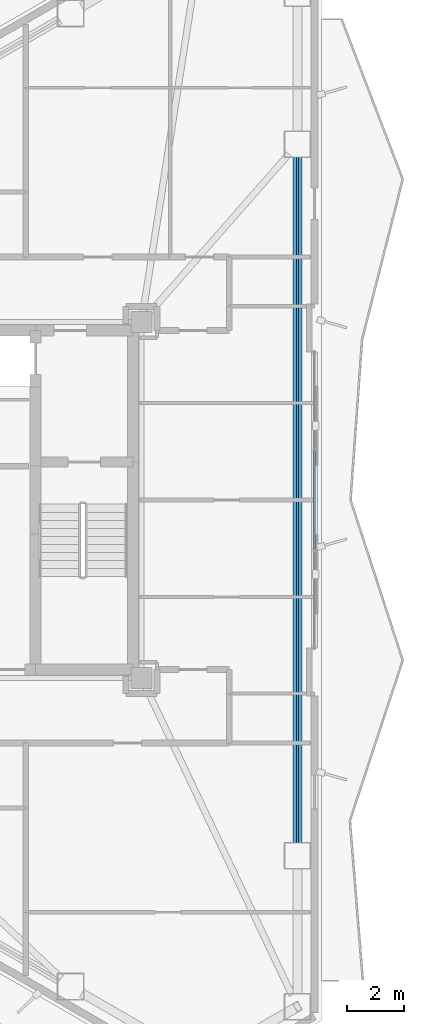
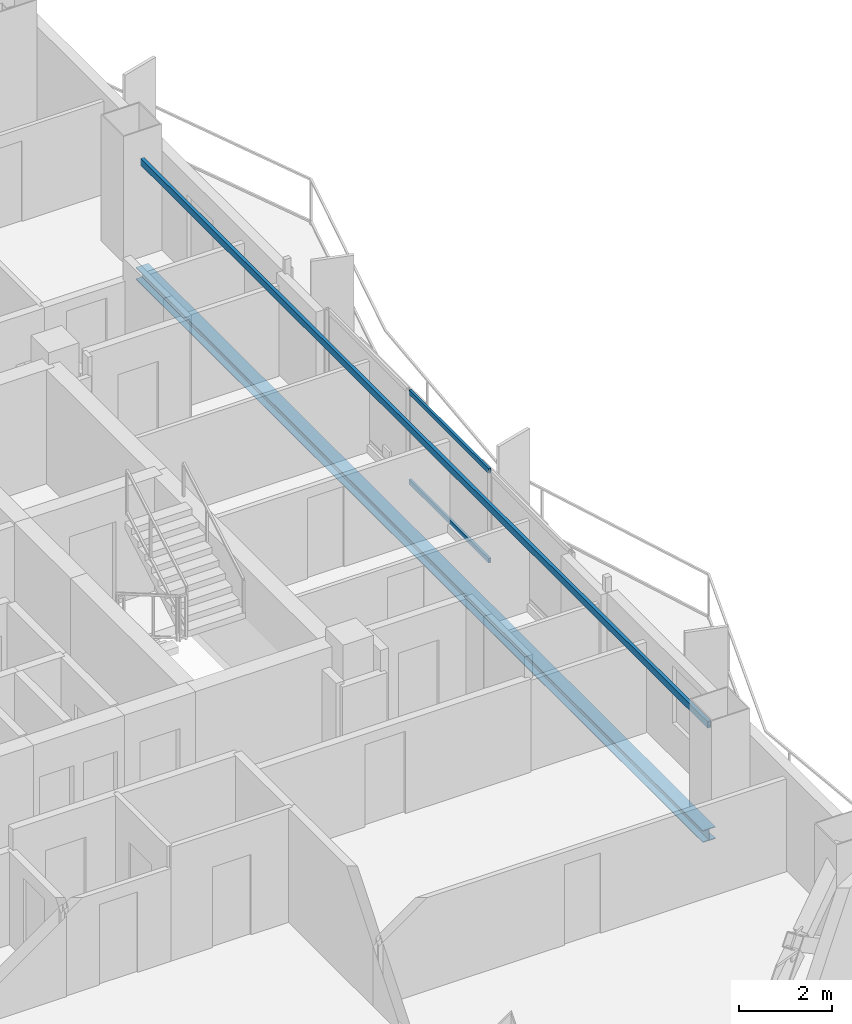
# One storey, part 8 of 18: 2 beams, 2 members, 1 element without a shape of its own.
"""IFC4 building model written with IfcOpenShell, lengths in metres."""

from ifc_helpers import new_model, si_unit, direction, frame, origin, origin_2d, place, context, subcontext, project, spatial, hollow_rectangle, i_section, extrude, material, layer, layer_set, material_profile, profile_set, type_object, element, aggregate, save


model = new_model("IFC4")

# Units and contexts
model_context = context("Model", 3, precision=1e-05, world=origin(), true_north=direction((0.0, 1.0)))
body_context = subcontext(model_context, "Body", "Model", "MODEL_VIEW")
ifc_project = project(units=[si_unit("LENGTHUNIT", "METRE"), si_unit("AREAUNIT", "SQUARE_METRE"), si_unit("VOLUMEUNIT", "CUBIC_METRE"), si_unit("PLANEANGLEUNIT", "RADIAN"), si_unit("MASSUNIT", "GRAM", prefix="KILO")], contexts=[model_context])

# Site, building, storey
site_placement = place(None, origin())
site = spatial("IfcSite", under=ifc_project, at=site_placement, CompositionType="ELEMENT")
building_placement = place(site_placement, origin())
building = spatial("IfcBuilding", under=site, at=building_placement, Name="Mersakhor Tower and Convention Hall", CompositionType="ELEMENT")
storey_placement = place(building_placement, frame((0.0, 0.0, 157.5)))
storey = spatial("IfcBuildingStorey", under=building, at=storey_placement, Name="L44", CompositionType="ELEMENT", Elevation=157.5)

# Beams
ifc_material_1 = material(Name="Steel S355", Category="steel")
ifc_material_profile_1 = material_profile(ifc_material_1, hollow_rectangle(XDim=0.080078125, YDim=0.179931640625, WallThickness=0.008056640625, at=origin_2d()), Name="RHS 180x80x8")
ifc_profile_set_1 = profile_set([ifc_material_profile_1], Name="Steel S355")
beam_type_1 = type_object("IfcBeamType", Name="BM-GRT-RHS180", PredefinedType="USERDEFINED", material=ifc_profile_set_1)
beam_1_placement = place(storey_placement, frame((41.619140625, 38.8837890625, 2.47998046875), z_axis=(0.0, -1.0, 0.0), x_axis=(1.0, 0.0, 0.0)))
element("IfcBeam", 1, at=beam_1_placement, inside=storey, type_object=beam_type_1, Name="L44 Facade Support Girt GRT-F2", ObjectType="GIRT", PredefinedType="USERDEFINED", context=body_context, shape_type="SweptSolid", body=[
    extrude(hollow_rectangle(XDim=0.080078125, YDim=0.179931640625, WallThickness=0.008056640625, at=origin_2d()), origin(), (0.0, 0.0, 1.0), 24.267578125),
])
ifc_material_2 = material(Name="Steel S355", Category="steel")
ifc_material_profile_2 = material_profile(ifc_material_2, i_section(OverallWidth=0.30908203125, OverallDepth=0.320556640625, WebThickness=0.013916015625, FlangeThickness=0.021728515625, at=origin_2d()), Name="UC 305x305x137")
ifc_profile_set_2 = profile_set([ifc_material_profile_2], Name="Steel S355")
beam_type_2 = type_object("IfcBeamType", Name="BM-SPD-UC305", PredefinedType="SPANDREL", material=ifc_profile_set_2)
beam_2_placement = place(storey_placement, frame((41.619140625, 38.8837890625, -0.400146484375), z_axis=(0.0, -1.0, 0.0), x_axis=(1.0, 0.0, 0.0)))
element("IfcBeam", 2, at=beam_2_placement, inside=storey, type_object=beam_type_2, Name="L44 Perimeter Spandrel Beam SPB-06", PredefinedType="SPANDREL", context=body_context, shape_type="SweptSolid", body=[
    extrude(i_section(OverallWidth=0.30908203125, OverallDepth=0.320556640625, WebThickness=0.013916015625, FlangeThickness=0.021728515625, at=origin_2d()), origin(), (0.0, 0.0, 1.0), 24.267578125),
])

# Curtain wall, members
ifc_material_3 = material(Name="Dark solar low-E aluminium curtain wall", Category="aluminium")
ifc_layer = layer(ifc_material_3, 0.169921875)
ifc_layer_set = layer_set([ifc_layer], Name="Dark solar low-E aluminium curtain wall")
curtain_wall_type = type_object("IfcCurtainWallType", Name="CW-SYS-02", PredefinedType="USERDEFINED", material=ifc_layer_set)
curtain_wall_placement = place(storey_placement, origin())
curtain_wall = element("IfcCurtainWall", 3, at=curtain_wall_placement, inside=storey, type_object=curtain_wall_type, Name="L44 Dark-Glass Curtain Wall F2-B2", ObjectType="CURTAIN WALL", PredefinedType="USERDEFINED")
ifc_material_4 = material(Name="Anodised aluminium EN AW-6063 T6", Category="aluminium")
ifc_material_profile_3 = material_profile(ifc_material_4, hollow_rectangle(XDim=0.06005859375, YDim=0.1201171875, WallThickness=0.0048828125, at=origin_2d()), Name="RHS 120x60x5")
ifc_profile_set_3 = profile_set([ifc_material_profile_3], Name="Anodised aluminium EN AW-6063 T6")
member_type = type_object("IfcMemberType", Name="CWT-120x60", PredefinedType="USERDEFINED", material=ifc_profile_set_3)
member_1_placement = place(storey_placement, frame((42.21923828125, 28.460205078125, 0.22998046875), z_axis=(0.0, -1.0, 0.0), x_axis=(1.0, 0.0, 0.0)))
member_1 = element("IfcMember", 4, at=member_1_placement, type_object=member_type, Name="CW-02 transom 2.1", ObjectType="TRANSOM", PredefinedType="USERDEFINED", context=body_context, shape_type="SweptSolid", body=[
    extrude(hollow_rectangle(XDim=0.06005859375, YDim=0.1201171875, WallThickness=0.0048828125, at=origin_2d()), origin(), (0.0, 0.0, 1.0), 3.42041015625),
])
member_2_placement = place(storey_placement, frame((42.21923828125, 28.460205078125, 2.570068359375), z_axis=(0.0, -1.0, 0.0), x_axis=(1.0, 0.0, 0.0)))
member_2 = element("IfcMember", 5, at=member_2_placement, type_object=member_type, Name="CW-02 transom 2.2", ObjectType="TRANSOM", PredefinedType="USERDEFINED", context=body_context, shape_type="SweptSolid", body=[
    extrude(hollow_rectangle(XDim=0.06005859375, YDim=0.1201171875, WallThickness=0.0048828125, at=origin_2d()), origin(), (0.0, 0.0, 1.0), 3.42041015625),
])
aggregate(curtain_wall, [member_1, member_2])

save(model, "model.ifc")
